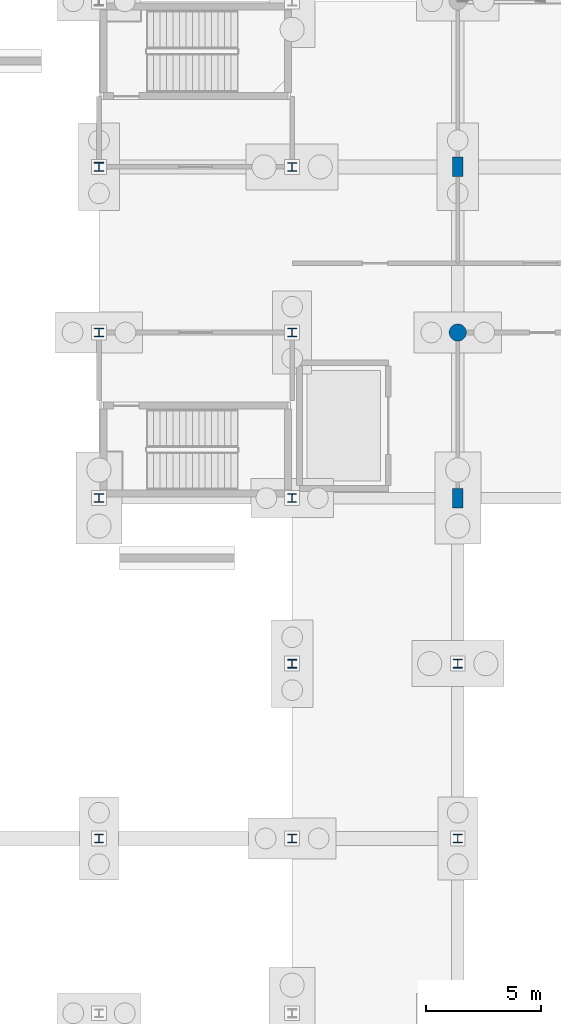
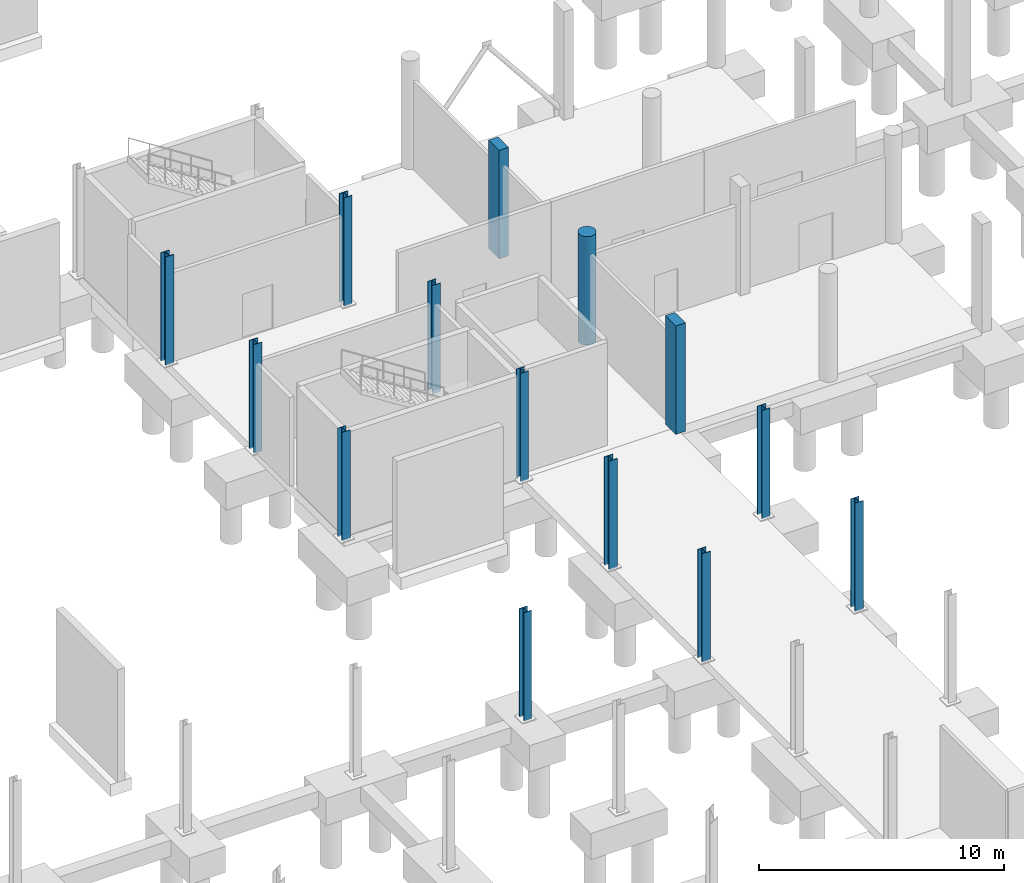
# One storey, part 27 of 61: 14 columns.
"""IFC4 building model written with IfcOpenShell, lengths in metres."""

from ifc_helpers import new_model, si_unit, direction, frame, origin, origin_2d, place, context, subcontext, project, spatial, rectangle, circle, i_section, extrude, material, material_profile, profile_set, type_object, element, save


model = new_model("IFC4")

# Units and contexts
model_context = context("Model", 3, precision=1e-05, world=origin(), true_north=direction((0.0, 1.0)))
body_context = subcontext(model_context, "Body", "Model", "MODEL_VIEW")
ifc_project = project(units=[si_unit("LENGTHUNIT", "METRE"), si_unit("AREAUNIT", "SQUARE_METRE"), si_unit("VOLUMEUNIT", "CUBIC_METRE"), si_unit("PLANEANGLEUNIT", "RADIAN"), si_unit("MASSUNIT", "GRAM", prefix="KILO")], contexts=[model_context])

# Site, building, storey
site_placement = place(None, origin())
site = spatial("IfcSite", under=ifc_project, at=site_placement, CompositionType="ELEMENT")
building_placement = place(site_placement, origin())
building = spatial("IfcBuilding", under=site, at=building_placement, Name="Calvrana Isthmian Art Gallery", CompositionType="ELEMENT")
storey_placement = place(building_placement, frame((0.0, 0.0, -5.39990234375)))
storey = spatial("IfcBuildingStorey", under=building, at=storey_placement, Name="B1", CompositionType="ELEMENT", Elevation=-5.39990234375)

# Columns
ifc_material_1 = material(Name="Concrete C40/50", Category="concrete")
ifc_material_profile_1 = material_profile(ifc_material_1, rectangle(XDim=0.449951171875, YDim=0.85009765625, at=origin_2d()), Name="RC450X850")
ifc_profile_set_1 = profile_set([ifc_material_profile_1], Name="Concrete C40/50")
column_type_1 = type_object("IfcColumnType", Name="COL-RC-RC450X850", PredefinedType="COLUMN", material=ifc_profile_set_1)
for number, where, z_axis, x_axis, name in (
    (1, (120.0, 76.800048828125, 0.0), (0.0, 0.0, 1.0), (1.0, 0.0, 0.0), "Column 16/K B1"),
    (2, (120.0, 91.199951171875, 0.0), (0.0, 0.0, 1.0), (1.0, 0.0, 0.0), "Column 16/M B1"),
):
    element("IfcColumn", number, at=place(storey_placement, frame(where, z_axis=z_axis, x_axis=x_axis)), inside=storey, type_object=column_type_1, Name=name, PredefinedType="COLUMN", context=body_context, shape_type="SweptSolid", body=[
        extrude(rectangle(XDim=0.449951171875, YDim=0.85009765625, at=origin_2d()), origin(), (0.0, 0.0, 1.0), 5.39990234375),
    ])
ifc_material_profile_2 = material_profile(ifc_material_1, circle(Radius=0.375, at=origin_2d()), Name="RC750D")
ifc_profile_set_2 = profile_set([ifc_material_profile_2], Name="Concrete C40/50")
column_type_2 = type_object("IfcColumnType", Name="COL-RC-RC750D", PredefinedType="COLUMN", material=ifc_profile_set_2)
column_placement = place(storey_placement, frame((120.0, 84.0, 0.0), z_axis=(0.0, 0.0, 1.0), x_axis=(1.0, 0.0, 0.0)))
element("IfcColumn", 3, at=column_placement, inside=storey, type_object=column_type_2, Name="Column 16/L B1", PredefinedType="COLUMN", context=body_context, shape_type="SweptSolid", body=[
    extrude(circle(Radius=0.375, at=origin_2d()), origin(), (0.0, 0.0, 1.0), 5.39990234375),
])
ifc_material_2 = material(Name="Steel ASTM A992 Gr 50", Category="steel")
ifc_material_profile_3 = material_profile(ifc_material_2, i_section(OverallWidth=0.373046875, OverallDepth=0.373046875, WebThickness=0.016357421875, FlangeThickness=0.026123046875, FilletRadius=0.02490234375, at=origin_2d()), Name="W14X132")
ifc_profile_set_3 = profile_set([ifc_material_profile_3], Name="Steel ASTM A992 Gr 50")
column_type_3 = type_object("IfcColumnType", Name="COL-STL-W14X132", PredefinedType="COLUMN", material=ifc_profile_set_3)
for number, where, z_axis, x_axis, name in (
    (4, (104.39990234375, 62.0, 0.0), (0.0, 0.0, 1.0), (1.0, 0.0, 0.0), "Column 14/I B1"),
    (5, (112.800048828125, 76.800048828125, 0.0), (0.0, 0.0, 1.0), (1.0, 0.0, 0.0), "Column 15/K B1"),
):
    element("IfcColumn", number, at=place(storey_placement, frame(where, z_axis=z_axis, x_axis=x_axis)), inside=storey, type_object=column_type_3, Name=name, PredefinedType="COLUMN", context=body_context, shape_type="SweptSolid", body=[
        extrude(i_section(OverallWidth=0.373046875, OverallDepth=0.373046875, WebThickness=0.016357421875, FlangeThickness=0.026123046875, FilletRadius=0.02490234375, at=origin_2d()), origin(), (0.0, 0.0, 1.0), 5.39990234375),
    ])
ifc_material_profile_4 = material_profile(ifc_material_2, i_section(OverallWidth=0.39404296875, OverallDepth=0.3759765625, WebThickness=0.017333984375, FlangeThickness=0.027587890625, FilletRadius=0.02490234375, at=origin_2d()), Name="W14X145")
ifc_profile_set_4 = profile_set([ifc_material_profile_4], Name="Steel ASTM A992 Gr 50")
column_type_4 = type_object("IfcColumnType", Name="COL-STL-W14X145", PredefinedType="COLUMN", material=ifc_profile_set_4)
for number, where, z_axis, x_axis, name in (
    (6, (104.39990234375, 76.800048828125, 0.0), (0.0, 0.0, 1.0), (1.0, 0.0, 0.0), "Column 14/K B1"),
    (7, (112.800048828125, 84.0, 0.0), (0.0, 0.0, 1.0), (1.0, 0.0, 0.0), "Column 15/L B1"),
    (8, (120.0, 62.0, 0.0), (0.0, 0.0, 1.0), (1.0, 0.0, 0.0), "Column 16/I B1"),
):
    element("IfcColumn", number, at=place(storey_placement, frame(where, z_axis=z_axis, x_axis=x_axis)), inside=storey, type_object=column_type_4, Name=name, PredefinedType="COLUMN", context=body_context, shape_type="SweptSolid", body=[
        extrude(i_section(OverallWidth=0.39404296875, OverallDepth=0.3759765625, WebThickness=0.017333984375, FlangeThickness=0.027587890625, FilletRadius=0.02490234375, at=origin_2d()), origin(), (0.0, 0.0, 1.0), 5.39990234375),
    ])
ifc_material_profile_5 = material_profile(ifc_material_2, i_section(OverallWidth=0.39599609375, OverallDepth=0.381103515625, WebThickness=0.018798828125, FlangeThickness=0.0302734375, FilletRadius=0.02490234375, at=origin_2d()), Name="W14X159")
ifc_profile_set_5 = profile_set([ifc_material_profile_5], Name="Steel ASTM A992 Gr 50")
column_type_5 = type_object("IfcColumnType", Name="COL-STL-W14X159", PredefinedType="COLUMN", material=ifc_profile_set_5)
for number, where, z_axis, x_axis, name in (
    (9, (104.39990234375, 84.0, 0.0), (0.0, 0.0, 1.0), (1.0, 0.0, 0.0), "Column 14/L B1"),
    (10, (112.800048828125, 62.0, 0.0), (0.0, 0.0, 1.0), (1.0, 0.0, 0.0), "Column 15/I B1"),
    (11, (112.800048828125, 91.199951171875, 0.0), (0.0, 0.0, 1.0), (1.0, 0.0, 0.0), "Column 15/M B1"),
    (12, (120.0, 69.60009765625, 0.0), (0.0, 0.0, 1.0), (1.0, 0.0, 0.0), "Column 16/J B1"),
):
    element("IfcColumn", number, at=place(storey_placement, frame(where, z_axis=z_axis, x_axis=x_axis)), inside=storey, type_object=column_type_5, Name=name, PredefinedType="COLUMN", context=body_context, shape_type="SweptSolid", body=[
        extrude(i_section(OverallWidth=0.39599609375, OverallDepth=0.381103515625, WebThickness=0.018798828125, FlangeThickness=0.0302734375, FilletRadius=0.02490234375, at=origin_2d()), origin(), (0.0, 0.0, 1.0), 5.39990234375),
    ])
ifc_material_profile_6 = material_profile(ifc_material_2, i_section(OverallWidth=0.39892578125, OverallDepth=0.385986328125, WebThickness=0.02099609375, FlangeThickness=0.033203125, FilletRadius=0.02490234375, at=origin_2d()), Name="W14X176")
ifc_profile_set_6 = profile_set([ifc_material_profile_6], Name="Steel ASTM A992 Gr 50")
column_type_6 = type_object("IfcColumnType", Name="COL-STL-W14X176", PredefinedType="COLUMN", material=ifc_profile_set_6)
for number, where, z_axis, x_axis, name in (
    (13, (104.39990234375, 91.199951171875, 0.0), (0.0, 0.0, 1.0), (1.0, 0.0, 0.0), "Column 14/M B1"),
    (14, (112.800048828125, 69.60009765625, 0.0), (0.0, 0.0, 1.0), (1.0, 0.0, 0.0), "Column 15/J B1"),
):
    element("IfcColumn", number, at=place(storey_placement, frame(where, z_axis=z_axis, x_axis=x_axis)), inside=storey, type_object=column_type_6, Name=name, PredefinedType="COLUMN", context=body_context, shape_type="SweptSolid", body=[
        extrude(i_section(OverallWidth=0.39892578125, OverallDepth=0.385986328125, WebThickness=0.02099609375, FlangeThickness=0.033203125, FilletRadius=0.02490234375, at=origin_2d()), origin(), (0.0, 0.0, 1.0), 5.39990234375),
    ])

save(model, "model.ifc")
